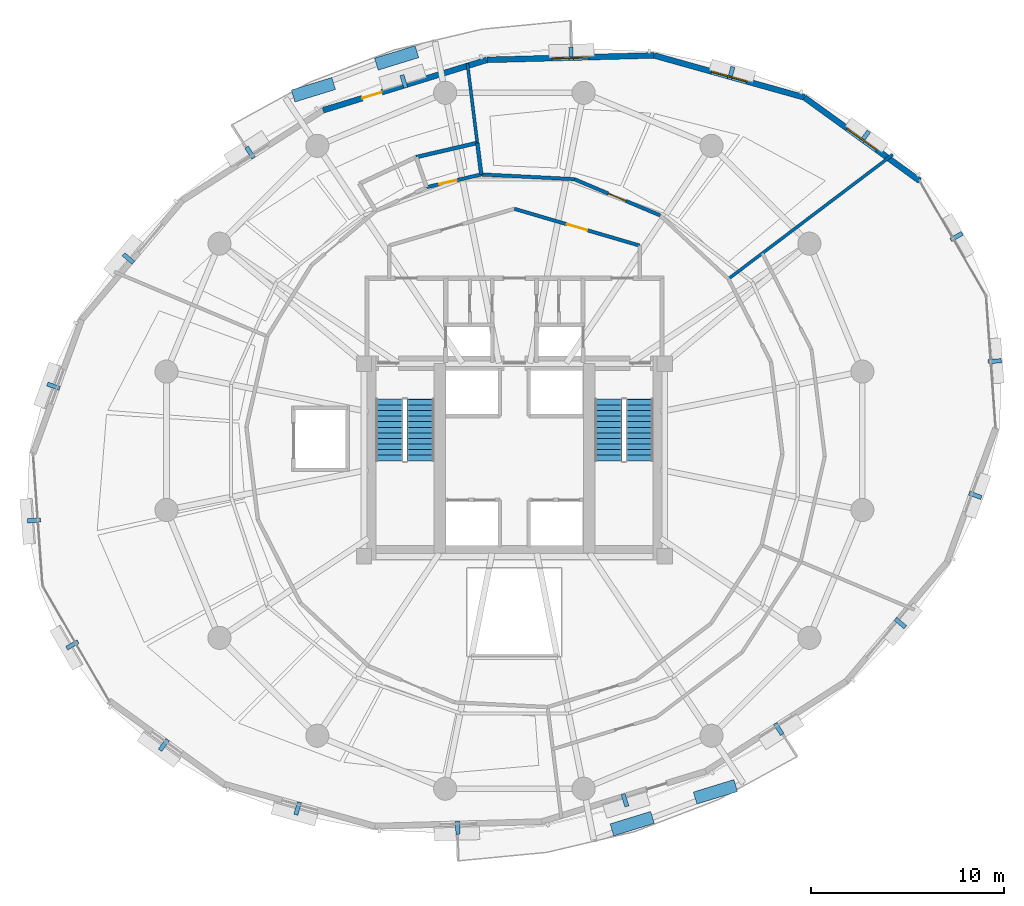
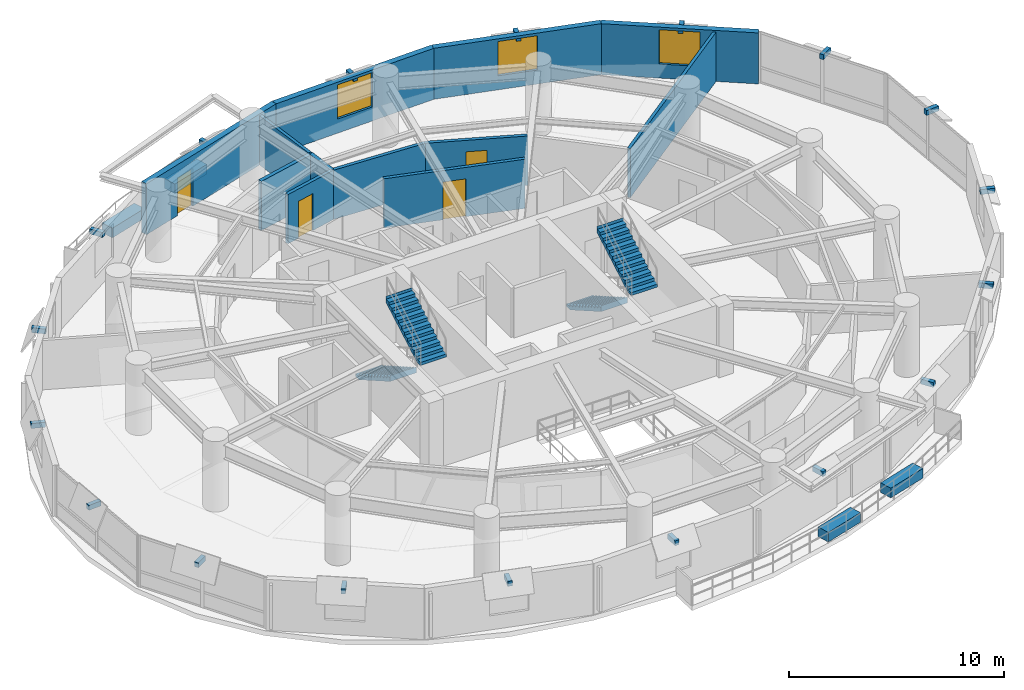
# One storey, part 12 of 15: 22 discrete accessories, 12 walls, 4 doors, 4 stair flights, 3 windows, 7 openings, 2 elements without a shape of their own.
"""IFC4 building model written with IfcOpenShell, lengths in metres."""

from ifc_helpers import new_model, si_unit, direction, frame, frame_2d, origin, origin_2d, place, context, subcontext, project, spatial, polyline, rectangle, outline, extrude, material, layer, layer_set, type_object, element, fill, aggregate, save


model = new_model("IFC4")

# Units and contexts
model_context = context("Model", 3, precision=1e-05, world=origin(), true_north=direction((0.0, 1.0)))
body_context = subcontext(model_context, "Body", "Model", "MODEL_VIEW")
ifc_project = project(units=[si_unit("LENGTHUNIT", "METRE"), si_unit("AREAUNIT", "SQUARE_METRE"), si_unit("VOLUMEUNIT", "CUBIC_METRE"), si_unit("PLANEANGLEUNIT", "RADIAN"), si_unit("MASSUNIT", "GRAM", prefix="KILO"), si_unit("THERMODYNAMICTEMPERATUREUNIT", "KELVIN"), si_unit("POWERUNIT", "WATT")], contexts=[model_context])

# Site, building, storey
site_placement = place(None, origin())
site = spatial("IfcSite", under=ifc_project, at=site_placement, CompositionType="ELEMENT")
building_placement = place(site_placement, origin())
building = spatial("IfcBuilding", under=site, at=building_placement, Name="Ocrelia Relay Tower", CompositionType="ELEMENT")
storey_placement = place(building_placement, frame((0.0, 0.0, 105.800048828125)))
storey = spatial("IfcBuildingStorey", under=building, at=storey_placement, Name="L24", CompositionType="ELEMENT", Elevation=105.800048828125)

# Wall, opening, door
ifc_material_1 = material(Name="Gypsum Fireboard Partition EI60", Category="gypsum")
ifc_layer_1 = layer(ifc_material_1, 0.179931640625, Name="Gypsum Fireboard Partition EI60")
ifc_layer_set_1 = layer_set([ifc_layer_1], Name="Gypsum Fireboard Partition EI60")
wall_type_1 = type_object("IfcWallType", Name="W-CORR-EI60-180", PredefinedType="PARTITIONING", material=ifc_layer_set_1)
wall_1_placement = place(storey_placement, frame((34.0, 38.030029296875, 0.0), z_axis=(0.0, 0.0, 1.0), x_axis=(0.959546654541, -0.281549671923, 0.0)))
wall_1 = element("IfcWall", 1, at=wall_1_placement, inside=storey, type_object=wall_type_1, Name="L24 North Smoke Lobby E Screen Wall", PredefinedType="PARTITIONING", context=body_context, shape_type="SweptSolid", body=[
    extrude(rectangle(XDim=6.77392578125, YDim=0.179931640625, at=frame_2d((3.386962890625, 0.0))), origin(), (0.0, 0.0, 1.0), 2.800048828125),
])
opening_1_placement = place(wall_1_placement, frame((2.8369140625, 0.0, 0.0)))
opening_1 = element("IfcOpeningElement", 2, at=opening_1_placement, cuts=wall_1, Name="Opening D-FD60", PredefinedType="OPENING", context=body_context, shape_type="SweptSolid", body=[
    extrude(rectangle(XDim=1.10009765625, YDim=2.14990234375, at=frame_2d((0.550048828125, 1.074951171875))), frame((0.0, 0.10009765625, 0.0), z_axis=(0.0, -1.0, 0.0), x_axis=(1.0, 0.0, 0.0)), (0.0, 0.0, 1.0), 0.199951171875),
])
ifc_material_2 = material(Name="Timber-core 60-min acoustic fire door", Category="wood")
door_type_1 = type_object("IfcDoorType", Name="DR-LOBBY-FD60-1100", OperationType="NOTDEFINED", PredefinedType="DOOR", material=ifc_material_2)
door_1_placement = place(opening_1_placement, origin())
door_1 = element("IfcDoor", 3, at=door_1_placement, inside=storey, type_object=door_type_1, Name="L24 North Smoke Lobby E Fire Door", OperationType="SINGLE_SWING_LEFT", OverallHeight=2.14990234375, OverallWidth=1.10009765625, PredefinedType="DOOR", context=body_context, shape_type="SweptSolid", body=[
    extrude(rectangle(XDim=1.10009765625, YDim=2.14990234375, at=frame_2d((0.550048828125, 1.074951171875))), frame((0.0, 0.02490234375, 0.0), z_axis=(0.0, -1.0, 0.0), x_axis=(1.0, 0.0, 0.0)), (0.0, 0.0, 1.0), 0.050048828125),
])
fill(opening_1, door_1)

wall_2_placement = place(storey_placement, frame((32.279541015625, 39.813232421875, 0.0), z_axis=(0.0, 0.0, 1.0), x_axis=(-0.97398951497, -0.22659308182, 0.0)))
wall_2 = element("IfcWall", 4, at=wall_2_placement, inside=storey, type_object=wall_type_1, Name="L24 Staff Toilet Corridor Wall", PredefinedType="PARTITIONING", context=body_context, shape_type="SweptSolid", body=[
    extrude(rectangle(XDim=2.91015625, YDim=0.179931640625, at=frame_2d((1.455078125, 0.0))), origin(), (0.0, 0.0, 1.0), 2.800048828125),
])
opening_2_placement = place(wall_2_placement, frame((1.321044921875, 0.0, 0.0)))
opening_2 = element("IfcOpeningElement", 5, at=opening_2_placement, cuts=wall_2, Name="Opening D-WC92", PredefinedType="OPENING", context=body_context, shape_type="SweptSolid", body=[
    extrude(rectangle(XDim=0.919921875, YDim=2.10009765625, at=frame_2d((0.4599609375, 1.050048828125))), frame((0.0, 0.10009765625, 0.0), z_axis=(0.0, -1.0, 0.0), x_axis=(1.0, 0.0, 0.0)), (0.0, 0.0, 1.0), 0.199951171875),
])
ifc_material_3 = material(Name="Laminate washroom door", Category="wood")
door_type_2 = type_object("IfcDoorType", Name="DR-WC-920", OperationType="NOTDEFINED", PredefinedType="DOOR", material=ifc_material_3)
door_2_placement = place(opening_2_placement, origin())
door_2 = element("IfcDoor", 6, at=door_2_placement, inside=storey, type_object=door_type_2, Name="L24 Staff Toilet Door", OperationType="SINGLE_SWING_RIGHT", OverallHeight=2.10009765625, OverallWidth=0.919921875, PredefinedType="DOOR", context=body_context, shape_type="SweptSolid", body=[
    extrude(rectangle(XDim=0.919921875, YDim=2.10009765625, at=frame_2d((0.4599609375, 1.050048828125))), frame((0.0, 0.02490234375, 0.0), z_axis=(0.0, -1.0, 0.0), x_axis=(1.0, 0.0, 0.0)), (0.0, 0.0, 1.0), 0.050048828125),
])
fill(opening_2, door_2)

wall_3_placement = place(storey_placement, frame((41.56103515625, 37.6875, 0.0), z_axis=(0.0, 0.0, 1.0), x_axis=(-0.92119083755, 0.389111090583, 0.0)))
wall_3 = element("IfcWall", 7, at=wall_3_placement, inside=storey, type_object=wall_type_1, Name="L24 Shift Staff Lounge Corridor Partition 2", PredefinedType="PARTITIONING", context=body_context, shape_type="SweptSolid", body=[
    extrude(rectangle(XDim=4.83447265625, YDim=0.179931640625, at=frame_2d((2.417236328125, 0.0))), origin(), (0.0, 0.0, 1.0), 2.800048828125),
])
opening_3_placement = place(wall_3_placement, frame((1.917236328125, 0.0, 0.0)))
opening_3 = element("IfcOpeningElement", 8, at=opening_3_placement, cuts=wall_3, Name="Opening D-RM100", PredefinedType="OPENING", context=body_context, shape_type="SweptSolid", body=[
    extrude(rectangle(XDim=1.0, YDim=2.14990234375, at=frame_2d((0.5, 1.074951171875))), frame((0.0, 0.10009765625, 0.0), z_axis=(0.0, -1.0, 0.0), x_axis=(1.0, 0.0, 0.0)), (0.0, 0.0, 1.0), 0.199951171875),
])
ifc_material_4 = material(Name="Acoustic oak veneer fire door", Category="wood")
door_type_3 = type_object("IfcDoorType", Name="DR-ROOM-FD60-1000", OperationType="NOTDEFINED", PredefinedType="DOOR", material=ifc_material_4)
door_3_placement = place(opening_3_placement, origin())
door_3 = element("IfcDoor", 9, at=door_3_placement, inside=storey, type_object=door_type_3, Name="L24 Shift Staff Lounge Entrance Door", OperationType="SINGLE_SWING_RIGHT", OverallHeight=2.14990234375, OverallWidth=1.0, PredefinedType="DOOR", context=body_context, shape_type="SweptSolid", body=[
    extrude(rectangle(XDim=1.0, YDim=2.14990234375, at=frame_2d((0.5, 1.074951171875))), frame((0.0, 0.02490234375, 0.0), z_axis=(0.0, -1.0, 0.0), x_axis=(1.0, 0.0, 0.0)), (0.0, 0.0, 1.0), 0.050048828125),
])
fill(opening_3, door_3)

# Wall
wall_4_placement = place(storey_placement, frame((37.107666015625, 39.568603515625, 0.0), z_axis=(0.0, 0.0, 1.0), x_axis=(-0.998718869606, 0.050602564085, 0.0)))
element("IfcWall", 10, at=wall_4_placement, inside=storey, type_object=wall_type_1, Name="L24 Shift Staff Lounge Corridor Partition 3", PredefinedType="PARTITIONING", context=body_context, shape_type="SweptSolid", body=[
    extrude(rectangle(XDim=4.834228515625, YDim=0.179931640625, at=frame_2d((2.4169921875, 0.0))), origin(), (0.0, 0.0, 1.0), 2.800048828125),
])

# Wall, opening, window
ifc_material_5 = material(Name="Precast concrete C40/50 with oxide terracotta", Category="masonry")
ifc_layer_2 = layer(ifc_material_5, 0.300048828125, Name="Precast concrete C40/50 with oxide terracotta")
ifc_layer_set_2 = layer_set([ifc_layer_2], Name="Precast concrete C40/50 with oxide terracotta")
wall_type_2 = type_object("IfcWallType", Name="W-EXT-TERR-300", PredefinedType="SOLIDWALL", material=ifc_layer_set_2)
wall_5_placement = place(storey_placement, frame((55.021484375, 39.480712890625, 0.0), z_axis=(0.0, 0.0, 1.0), x_axis=(-0.810233431566, 0.586107316431, 0.0)))
wall_5 = element("IfcWall", 11, at=wall_5_placement, inside=storey, type_object=wall_type_2, Name="L24 Oxide Terracotta Facade Wall 02", PredefinedType="SOLIDWALL", context=body_context, shape_type="SweptSolid", body=[
    extrude(rectangle(XDim=7.38330078125, YDim=0.300048828125, at=frame_2d((3.691650390625, 0.0))), origin(), (0.0, 0.0, 1.0), 2.89990234375),
])
opening_4_placement = place(wall_5_placement, frame((2.741943359375, 0.0, 0.800048828125)))
opening_4 = element("IfcOpeningElement", 12, at=opening_4_placement, cuts=wall_5, Name="Opening W-06", PredefinedType="OPENING", context=body_context, shape_type="SweptSolid", body=[
    extrude(rectangle(XDim=1.89990234375, YDim=1.949951171875, at=frame_2d((0.949951171875, 0.97509765625))), frame((0.0, 0.16015625, 0.0), z_axis=(0.0, -1.0, 0.0), x_axis=(1.0, 0.0, 0.0)), (0.0, 0.0, 1.0), 0.320068359375),
])
ifc_material_6 = material(Name="Clear double-glazed low-E glass", Category="glass")
window_type = type_object("IfcWindowType", Name="WIN-Z2-1900x2100", PartitioningType="DOUBLE_PANEL_VERTICAL", PredefinedType="WINDOW", material=ifc_material_6)
window_1_placement = place(opening_4_placement, origin())
window_1 = element("IfcWindow", 13, at=window_1_placement, inside=storey, type_object=window_type, Name="L24 Facade Module Window 02", OverallHeight=1.949951171875, OverallWidth=1.89990234375, PartitioningType="SINGLE_PANEL", PredefinedType="WINDOW", context=body_context, shape_type="SweptSolid", body=[
    extrude(rectangle(XDim=1.89990234375, YDim=1.949951171875, at=frame_2d((0.949951171875, 0.97509765625))), frame((0.0, 0.030029296875, 0.0), z_axis=(0.0, -1.0, 0.0), x_axis=(1.0, 0.0, 0.0)), (0.0, 0.0, 1.0), 0.06005859375),
])
fill(opening_4, window_1)

wall_6_placement = place(storey_placement, frame((49.039306640625, 43.80810546875, 0.0), z_axis=(0.0, 0.0, 1.0), x_axis=(-0.963083265721, 0.269203683645, 0.0)))
wall_6 = element("IfcWall", 14, at=wall_6_placement, inside=storey, type_object=wall_type_2, Name="L24 Oxide Terracotta Facade Wall 03", PredefinedType="SOLIDWALL", context=body_context, shape_type="SweptSolid", body=[
    extrude(rectangle(XDim=8.094970703125, YDim=0.300048828125, at=frame_2d((4.04736328125, 0.0))), origin(), (0.0, 0.0, 1.0), 2.89990234375),
])
opening_5_placement = place(wall_6_placement, frame((3.097900390625, 0.0, 0.800048828125)))
opening_5 = element("IfcOpeningElement", 15, at=opening_5_placement, cuts=wall_6, Name="Opening W-06", PredefinedType="OPENING", context=body_context, shape_type="SweptSolid", body=[
    extrude(rectangle(XDim=1.89990234375, YDim=1.949951171875, at=frame_2d((0.949951171875, 0.97509765625))), frame((0.0, 0.16015625, 0.0), z_axis=(0.0, -1.0, 0.0), x_axis=(1.0, 0.0, 0.0)), (0.0, 0.0, 1.0), 0.320068359375),
])
window_2_placement = place(opening_5_placement, origin())
window_2 = element("IfcWindow", 16, at=window_2_placement, inside=storey, type_object=window_type, Name="L24 Facade Module Window 03", OverallHeight=1.949951171875, OverallWidth=1.89990234375, PartitioningType="SINGLE_PANEL", PredefinedType="WINDOW", context=body_context, shape_type="SweptSolid", body=[
    extrude(rectangle(XDim=1.89990234375, YDim=1.949951171875, at=frame_2d((0.949951171875, 0.97509765625))), frame((0.0, 0.030029296875, 0.0), z_axis=(0.0, -1.0, 0.0), x_axis=(1.0, 0.0, 0.0)), (0.0, 0.0, 1.0), 0.06005859375),
])
fill(opening_5, window_2)

wall_7_placement = place(storey_placement, frame((41.2431640625, 45.9873046875, 0.0), z_axis=(0.0, 0.0, 1.0), x_axis=(-0.99964462396, -0.026657565299, 0.0)))
wall_7 = element("IfcWall", 17, at=wall_7_placement, inside=storey, type_object=wall_type_2, Name="L24 Oxide Terracotta Facade Wall 04", PredefinedType="SOLIDWALL", context=body_context, shape_type="SweptSolid", body=[
    extrude(rectangle(XDim=8.673095703125, YDim=0.300048828125, at=frame_2d((4.33642578125, 0.0))), origin(), (0.0, 0.0, 1.0), 2.89990234375),
])
opening_6_placement = place(wall_7_placement, frame((3.385986328125, 0.0, 0.800048828125)))
opening_6 = element("IfcOpeningElement", 18, at=opening_6_placement, cuts=wall_7, Name="Opening W-06", PredefinedType="OPENING", context=body_context, shape_type="SweptSolid", body=[
    extrude(rectangle(XDim=1.89990234375, YDim=1.949951171875, at=frame_2d((0.949951171875, 0.97509765625))), frame((0.0, 0.16015625, 0.0), z_axis=(0.0, -1.0, 0.0), x_axis=(1.0, 0.0, 0.0)), (0.0, 0.0, 1.0), 0.320068359375),
])
window_3_placement = place(opening_6_placement, origin())
window_3 = element("IfcWindow", 19, at=window_3_placement, inside=storey, type_object=window_type, Name="L24 Facade Module Window 04", OverallHeight=1.949951171875, OverallWidth=1.89990234375, PartitioningType="SINGLE_PANEL", PredefinedType="WINDOW", context=body_context, shape_type="SweptSolid", body=[
    extrude(rectangle(XDim=1.89990234375, YDim=1.949951171875, at=frame_2d((0.949951171875, 0.97509765625))), frame((0.0, 0.030029296875, 0.0), z_axis=(0.0, -1.0, 0.0), x_axis=(1.0, 0.0, 0.0)), (0.0, 0.0, 1.0), 0.06005859375),
])
fill(opening_6, window_3)

# Wall, opening, door
wall_8_placement = place(storey_placement, frame((32.5732421875, 45.756103515625, 0.0), z_axis=(0.0, 0.0, 1.0), x_axis=(-0.95579325701, -0.294039537911, 0.0)))
wall_8 = element("IfcWall", 20, at=wall_8_placement, inside=storey, type_object=wall_type_2, Name="L24 Oxide Terracotta Facade Wall 05", PredefinedType="SOLIDWALL", context=body_context, shape_type="SweptSolid", body=[
    extrude(rectangle(XDim=8.890869140625, YDim=0.300048828125, at=frame_2d((4.4453125, 0.0))), origin(), (0.0, 0.0, 1.0), 2.89990234375),
])
opening_7_placement = place(wall_8_placement, frame((5.7099609375, 0.0, 0.0)))
opening_7 = element("IfcOpeningElement", 21, at=opening_7_placement, cuts=wall_8, Name="Opening DB-105", PredefinedType="OPENING", context=body_context, shape_type="SweptSolid", body=[
    extrude(rectangle(XDim=1.050048828125, YDim=2.14990234375, at=frame_2d((0.52490234375, 1.074951171875))), frame((0.0, 0.16015625, 0.0), z_axis=(0.0, -1.0, 0.0), x_axis=(1.0, 0.0, 0.0)), (0.0, 0.0, 1.0), 0.320068359375),
])
ifc_material_7 = material(Name="Thermally broken aluminium and clear glass", Category="aluminium")
door_type_4 = type_object("IfcDoorType", Name="DR-BALC-1050", OperationType="NOTDEFINED", PredefinedType="DOOR", material=ifc_material_7)
door_4_placement = place(opening_7_placement, origin())
door_4 = element("IfcDoor", 22, at=door_4_placement, inside=storey, type_object=door_type_4, Name="L24 Planted Loggia Balcony Door B1", OperationType="SINGLE_SWING_LEFT", OverallHeight=2.14990234375, OverallWidth=1.050048828125, PredefinedType="DOOR", context=body_context, shape_type="SweptSolid", body=[
    extrude(rectangle(XDim=1.050048828125, YDim=2.14990234375, at=frame_2d((0.52490234375, 1.074951171875))), frame((0.0, 0.02490234375, 0.0), z_axis=(0.0, -1.0, 0.0), x_axis=(1.0, 0.0, 0.0)), (0.0, 0.0, 1.0), 0.050048828125),
])
fill(opening_7, door_4)

# Walls
ifc_material_8 = material(Name="Acoustic Fireboard Partition EI60", Category="gypsum")
ifc_layer_3 = layer(ifc_material_8, 0.159912109375, Name="Acoustic Fireboard Partition EI60")
ifc_layer_set_3 = layer_set([ifc_layer_3], Name="Acoustic Fireboard Partition EI60")
wall_type_3 = type_object("IfcWallType", Name="W-PART-160", PredefinedType="PARTITIONING", material=ifc_layer_set_3)
wall_9_placement = place(storey_placement, frame((32.075439453125, 41.45068359375, 0.0), z_axis=(0.0, 0.0, 1.0), x_axis=(-0.123557239278, 0.992337446951, 0.0)))
element("IfcWall", 23, at=wall_9_placement, inside=storey, type_object=wall_type_3, Name="L24 Network Engineering Office A Radial Partition", PredefinedType="PARTITIONING", context=body_context, shape_type="SweptSolid", body=[
    extrude(rectangle(XDim=4.1533203125, YDim=0.159912109375, at=frame_2d((2.07666015625, 0.0))), origin(), (0.0, 0.0, 1.0), 2.800048828125),
])
wall_10_placement = place(storey_placement, frame((45.102294921875, 34.396728515625, 0.0), z_axis=(0.0, 0.0, 1.0), x_axis=(0.797580497371, 0.603212524914, 0.0)))
element("IfcWall", 24, at=wall_10_placement, inside=storey, type_object=wall_type_3, Name="L24 Peering Conference Room Radial Partition", PredefinedType="PARTITIONING", context=body_context, shape_type="SweptSolid", body=[
    extrude(rectangle(XDim=10.68408203125, YDim=0.159912109375, at=frame_2d((5.342041015625, 0.0))), origin(), (0.0, 0.0, 1.0), 2.800048828125),
])
ifc_material_9 = material(Name="Moisture-Resistant Fireboard Chase Wall EI60", Category="gypsum")
ifc_layer_4 = layer(ifc_material_9, 0.199951171875, Name="Moisture-Resistant Fireboard Chase Wall EI60")
ifc_layer_set_4 = layer_set([ifc_layer_4], Name="Moisture-Resistant Fireboard Chase Wall EI60")
wall_type_4 = type_object("IfcWallType", Name="W-PLUMB-200", PredefinedType="PLUMBINGWALL", material=ifc_layer_set_4)
wall_11_placement = place(storey_placement, frame((32.279541015625, 39.813232421875, 0.0), z_axis=(0.0, 0.0, 1.0), x_axis=(-0.123688744547, 0.992321064209, 0.0)))
element("IfcWall", 25, at=wall_11_placement, inside=storey, type_object=wall_type_4, Name="L24 Staff Toilet Plumbing Radial Wall", PredefinedType="PLUMBINGWALL", context=body_context, shape_type="SweptSolid", body=[
    extrude(rectangle(XDim=1.650146484375, YDim=0.199951171875, at=frame_2d((0.8251953125, 0.0))), origin(), (0.0, 0.0, 1.0), 2.800048828125),
])
wall_12_placement = place(storey_placement, frame((32.075439453125, 41.45068359375, 0.0), z_axis=(0.0, 0.0, 1.0), x_axis=(-0.973971068417, -0.22667235801, 0.0)))
element("IfcWall", 26, at=wall_12_placement, inside=storey, type_object=wall_type_4, Name="L24 Staff Toilet Back Plumbing Wall", PredefinedType="PLUMBINGWALL", context=body_context, shape_type="SweptSolid", body=[
    extrude(rectangle(XDim=3.2548828125, YDim=0.199951171875, at=frame_2d((1.62744140625, 0.0))), origin(), (0.0, 0.0, 1.0), 2.800048828125),
])

# Stair, stair flights
ifc_material_10 = material(Name="Concrete C50/60", Category="concrete")
stair_type = type_object("IfcStairType", Name="ST-DL-1420-R167", PredefinedType="HALF_TURN_STAIR", material=ifc_material_10)
stair_1_placement = place(storey_placement, origin())
stair_1 = element("IfcStair", 27, at=stair_1_placement, inside=storey, type_object=stair_type, Name="L24 West Core Exit Stair ST1", PredefinedType="HALF_TURN_STAIR")
stair_flight_type = type_object("IfcStairFlightType", Name="STF-DL-1420-R167", PredefinedType="STRAIGHT", material=ifc_material_10)
stair_flight_1_placement = place(storey_placement, frame((27.52001953125, 28.14990234375, 0.0), z_axis=(0.0, 0.0, 1.0), x_axis=(0.0, -1.0, 0.0)))
stair_flight_1 = element("IfcStairFlight", 28, at=stair_flight_1_placement, type_object=stair_flight_type, Name="ST1 flight 1", NumberOfRisers=12, NumberOfTreads=11, PredefinedType="STRAIGHT", RiserHeight=0.166666667, TreadLength=0.29, context=body_context, shape_type="SweptSolid", body=[
    extrude(outline(polyline([(-0.008056640625, 0.0), (-0.008056640625, 0.166748046875), (0.0, 0.166748046875), (0.2900390625, 0.166748046875), (0.2900390625, 0.333251953125), (0.580078125, 0.333251953125), (0.580078125, 0.5), (0.8701171875, 0.5), (0.8701171875, 0.666748046875), (1.159912109375, 0.666748046875), (1.159912109375, 0.833251953125), (1.449951171875, 0.833251953125), (1.449951171875, 1.0), (1.739990234375, 1.0), (1.739990234375, 1.166748046875), (2.030029296875, 1.166748046875), (2.030029296875, 1.333251953125), (2.320068359375, 1.333251953125), (2.320068359375, 1.5), (2.610107421875, 1.5), (2.610107421875, 1.666748046875), (2.89990234375, 1.666748046875), (2.89990234375, 1.833251953125), (3.18994140625, 1.833251953125), (3.18994140625, 2.0), (3.197998046875, 2.0), (3.197998046875, 1.660400390625), (0.30078125, 0.0), (-0.008056640625, 0.0)])), frame((0.0, 0.7099609375, 0.0), z_axis=(0.0, -1.0, 0.0), x_axis=(1.0, 0.0, 0.0)), (0.0, 0.0, 1.0), 1.419921875),
])
stair_flight_2_placement = place(storey_placement, frame((29.139892578125, 24.9599609375, 2.0), z_axis=(0.0, 0.0, 1.0), x_axis=(0.0, 1.0, 0.0)))
stair_flight_2 = element("IfcStairFlight", 29, at=stair_flight_2_placement, type_object=stair_flight_type, Name="ST1 flight 2", NumberOfRisers=12, NumberOfTreads=11, PredefinedType="STRAIGHT", RiserHeight=0.166666667, TreadLength=0.29, context=body_context, shape_type="SweptSolid", body=[
    extrude(outline(polyline([(-0.008056640625, 0.0), (-0.008056640625, 0.166748046875), (0.0, 0.166748046875), (0.2900390625, 0.166748046875), (0.2900390625, 0.333251953125), (0.580078125, 0.333251953125), (0.580078125, 0.5), (0.8701171875, 0.5), (0.8701171875, 0.666748046875), (1.159912109375, 0.666748046875), (1.159912109375, 0.833251953125), (1.449951171875, 0.833251953125), (1.449951171875, 1.0), (1.739990234375, 1.0), (1.739990234375, 1.166748046875), (2.030029296875, 1.166748046875), (2.030029296875, 1.333251953125), (2.320068359375, 1.333251953125), (2.320068359375, 1.5), (2.610107421875, 1.5), (2.610107421875, 1.666748046875), (2.89990234375, 1.666748046875), (2.89990234375, 1.833251953125), (3.18994140625, 1.833251953125), (3.18994140625, 2.0), (3.197998046875, 2.0), (3.197998046875, 1.660400390625), (0.30078125, 0.0), (-0.008056640625, 0.0)])), frame((0.0, 0.7099609375, 0.0), z_axis=(0.0, -1.0, 0.0), x_axis=(1.0, 0.0, 0.0)), (0.0, 0.0, 1.0), 1.419921875),
])
aggregate(stair_1, [stair_flight_1, stair_flight_2])

stair_2_placement = place(storey_placement, origin())
stair_2 = element("IfcStair", 30, at=stair_2_placement, inside=storey, type_object=stair_type, Name="L24 East Core Exit Stair ST2", PredefinedType="HALF_TURN_STAIR")
stair_flight_3_placement = place(storey_placement, frame((38.8701171875, 28.14990234375, 0.0), z_axis=(0.0, 0.0, 1.0), x_axis=(0.0, -1.0, 0.0)))
stair_flight_3 = element("IfcStairFlight", 31, at=stair_flight_3_placement, type_object=stair_flight_type, Name="ST2 flight 1", NumberOfRisers=12, NumberOfTreads=11, PredefinedType="STRAIGHT", RiserHeight=0.166666667, TreadLength=0.29, context=body_context, shape_type="SweptSolid", body=[
    extrude(outline(polyline([(-0.008056640625, 0.0), (-0.008056640625, 0.166748046875), (0.0, 0.166748046875), (0.2900390625, 0.166748046875), (0.2900390625, 0.333251953125), (0.580078125, 0.333251953125), (0.580078125, 0.5), (0.8701171875, 0.5), (0.8701171875, 0.666748046875), (1.159912109375, 0.666748046875), (1.159912109375, 0.833251953125), (1.449951171875, 0.833251953125), (1.449951171875, 1.0), (1.739990234375, 1.0), (1.739990234375, 1.166748046875), (2.030029296875, 1.166748046875), (2.030029296875, 1.333251953125), (2.320068359375, 1.333251953125), (2.320068359375, 1.5), (2.610107421875, 1.5), (2.610107421875, 1.666748046875), (2.89990234375, 1.666748046875), (2.89990234375, 1.833251953125), (3.18994140625, 1.833251953125), (3.18994140625, 2.0), (3.197998046875, 2.0), (3.197998046875, 1.660400390625), (0.30078125, 0.0), (-0.008056640625, 0.0)])), frame((0.0, 0.7099609375, 0.0), z_axis=(0.0, -1.0, 0.0), x_axis=(1.0, 0.0, 0.0)), (0.0, 0.0, 1.0), 1.419921875),
])
stair_flight_4_placement = place(storey_placement, frame((40.489990234375, 24.9599609375, 2.0), z_axis=(0.0, 0.0, 1.0), x_axis=(0.0, 1.0, 0.0)))
stair_flight_4 = element("IfcStairFlight", 32, at=stair_flight_4_placement, type_object=stair_flight_type, Name="ST2 flight 2", NumberOfRisers=12, NumberOfTreads=11, PredefinedType="STRAIGHT", RiserHeight=0.166666667, TreadLength=0.29, context=body_context, shape_type="SweptSolid", body=[
    extrude(outline(polyline([(-0.008056640625, 0.0), (-0.008056640625, 0.166748046875), (0.0, 0.166748046875), (0.2900390625, 0.166748046875), (0.2900390625, 0.333251953125), (0.580078125, 0.333251953125), (0.580078125, 0.5), (0.8701171875, 0.5), (0.8701171875, 0.666748046875), (1.159912109375, 0.666748046875), (1.159912109375, 0.833251953125), (1.449951171875, 0.833251953125), (1.449951171875, 1.0), (1.739990234375, 1.0), (1.739990234375, 1.166748046875), (2.030029296875, 1.166748046875), (2.030029296875, 1.333251953125), (2.320068359375, 1.333251953125), (2.320068359375, 1.5), (2.610107421875, 1.5), (2.610107421875, 1.666748046875), (2.89990234375, 1.666748046875), (2.89990234375, 1.833251953125), (3.18994140625, 1.833251953125), (3.18994140625, 2.0), (3.197998046875, 2.0), (3.197998046875, 1.660400390625), (0.30078125, 0.0), (-0.008056640625, 0.0)])), frame((0.0, 0.7099609375, 0.0), z_axis=(0.0, -1.0, 0.0), x_axis=(1.0, 0.0, 0.0)), (0.0, 0.0, 1.0), 1.419921875),
])
aggregate(stair_2, [stair_flight_3, stair_flight_4])

# Discrete accessories
ifc_material_11 = material(Name="Precast concrete C40/50 planter with highland greenery", Category="concrete")
discrete_accessory_type_1 = type_object("IfcDiscreteAccessoryType", Name="ACC-BALC-PLANTER", PredefinedType="USERDEFINED", material=ifc_material_11)
for number, where, z_axis, x_axis, name in (
    (33, (27.890625, 45.85888671875, 0.0), (0.0, 0.0, 1.0), (0.955794743759, 0.294034705101, 0.0), "L24 Balcony Terracotta Planter with Greenery B1"),
    (34, (23.573974609375, 44.20703125, 0.0), (0.0, 0.0, 1.0), (0.955794743759, 0.294034705101, 0.0), "L24 Balcony Terracotta Planter B1-2"),
    (35, (40.109375, 6.14111328125, 0.0), (0.0, 0.0, 1.0), (-0.955794743759, -0.294034705101, 0.0), "L24 Balcony Terracotta Planter with Greenery B2"),
    (36, (44.426025390625, 7.79296875, 0.0), (0.0, 0.0, 1.0), (-0.955794743759, -0.294034705101, 0.0), "L24 Balcony Terracotta Planter B2-2"),
):
    element("IfcDiscreteAccessory", number, at=place(storey_placement, frame(where, z_axis=z_axis, x_axis=x_axis)), inside=storey, type_object=discrete_accessory_type_1, Name=name, ObjectType="PLANTER", PredefinedType="USERDEFINED", context=body_context, shape_type="SweptSolid", body=[
        extrude(rectangle(XDim=2.199951171875, YDim=0.64990234375, at=origin_2d()), origin(), (0.0, 0.0, 1.0), 0.550048828125),
    ])
ifc_material_12 = material(Name="Steel S355", Category="steel")
discrete_accessory_type_2 = type_object("IfcDiscreteAccessoryType", Name="ACC-VISOR-BRACKET", PredefinedType="BRACKET", material=ifc_material_12)
for number, where, z_axis, x_axis, name in (
    (37, (56.926513671875, 36.587890625, 2.60009765625), (0.0, 0.0, 1.0), (-0.501042000832, 0.865422967919, 0.0), "L24 Visor Mounting Bracket 01"),
    (38, (52.181396484375, 41.775390625, 2.60009765625), (0.0, 0.0, 1.0), (-0.810245074507, 0.586091220918, 0.0), "L24 Visor Mounting Bracket 02"),
    (39, (45.242919921875, 45.070068359375, 2.60009765625), (0.0, 0.0, 1.0), (-0.963077349031, 0.269224849863, 0.0), "L24 Visor Mounting Bracket 03"),
    (40, (36.93701171875, 46.069580078125, 2.60009765625), (0.0, 0.0, 1.0), (-0.999644318449, -0.026669019343, 0.0), "L24 Visor Mounting Bracket 04"),
    (41, (28.265380859375, 44.64013671875, 2.60009765625), (0.0, 0.0, 1.0), (-0.955790924358, -0.294047120229, 0.0), "L24 Visor Mounting Bracket 05"),
    (42, (20.2900390625, 40.9482421875, 2.60009765625), (0.0, 0.0, 1.0), (-0.84178147354, -0.539818442446, 0.0), "L24 Visor Mounting Bracket 06"),
    (43, (13.982421875, 35.453125, 2.60009765625), (0.0, 0.0, 1.0), (-0.645214308359, -0.764001633695, 0.0), "L24 Visor Mounting Bracket 07"),
    (44, (10.09521484375, 28.827880859375, 2.60009765625), (0.0, 0.0, 1.0), (-0.340704301135, -0.940170505381, 0.0), "L24 Visor Mounting Bracket 08"),
    (45, (9.086669921875, 21.87060546875, 2.60009765625), (0.0, 0.0, 1.0), (0.072030099448, -0.997402458777, 0.0), "L24 Visor Mounting Bracket 09"),
    (46, (11.073486328125, 15.412109375, 2.60009765625), (0.0, 0.0, 1.0), (0.501042000832, -0.865422967919, 0.0), "L24 Visor Mounting Bracket 10"),
    (47, (15.818603515625, 10.224609375, 2.60009765625), (0.0, 0.0, 1.0), (0.810245074507, -0.586091220918, 0.0), "L24 Visor Mounting Bracket 11"),
    (48, (22.757080078125, 6.929931640625, 2.60009765625), (0.0, 0.0, 1.0), (0.963077349031, -0.269224849863, 0.0), "L24 Visor Mounting Bracket 12"),
    (49, (31.06298828125, 5.930419921875, 2.60009765625), (0.0, 0.0, 1.0), (0.999644318449, 0.026669019343, 0.0), "L24 Visor Mounting Bracket 13"),
    (50, (39.734619140625, 7.35986328125, 2.60009765625), (0.0, 0.0, 1.0), (0.955790924358, 0.294047120229, 0.0), "L24 Visor Mounting Bracket 14"),
    (51, (47.7099609375, 11.0517578125, 2.60009765625), (0.0, 0.0, 1.0), (0.84178147354, 0.539818442446, 0.0), "L24 Visor Mounting Bracket 15"),
    (52, (54.017578125, 16.546875, 2.60009765625), (0.0, 0.0, 1.0), (0.645214308359, 0.764001633695, 0.0), "L24 Visor Mounting Bracket 16"),
    (53, (57.90478515625, 23.172119140625, 2.60009765625), (0.0, 0.0, 1.0), (0.340704301135, 0.940170505381, 0.0), "L24 Visor Mounting Bracket 17"),
    (54, (58.913330078125, 30.12939453125, 2.60009765625), (0.0, 0.0, 1.0), (-0.072030099448, 0.997402458777, 0.0), "L24 Visor Mounting Bracket 18"),
):
    element("IfcDiscreteAccessory", number, at=place(storey_placement, frame(where, z_axis=z_axis, x_axis=x_axis)), inside=storey, type_object=discrete_accessory_type_2, Name=name, PredefinedType="BRACKET", context=body_context, shape_type="SweptSolid", body=[
        extrude(rectangle(XDim=0.219970703125, YDim=0.679931640625, at=origin_2d()), origin(), (0.0, 0.0, 1.0), 0.280029296875),
    ])

save(model, "model.ifc")
